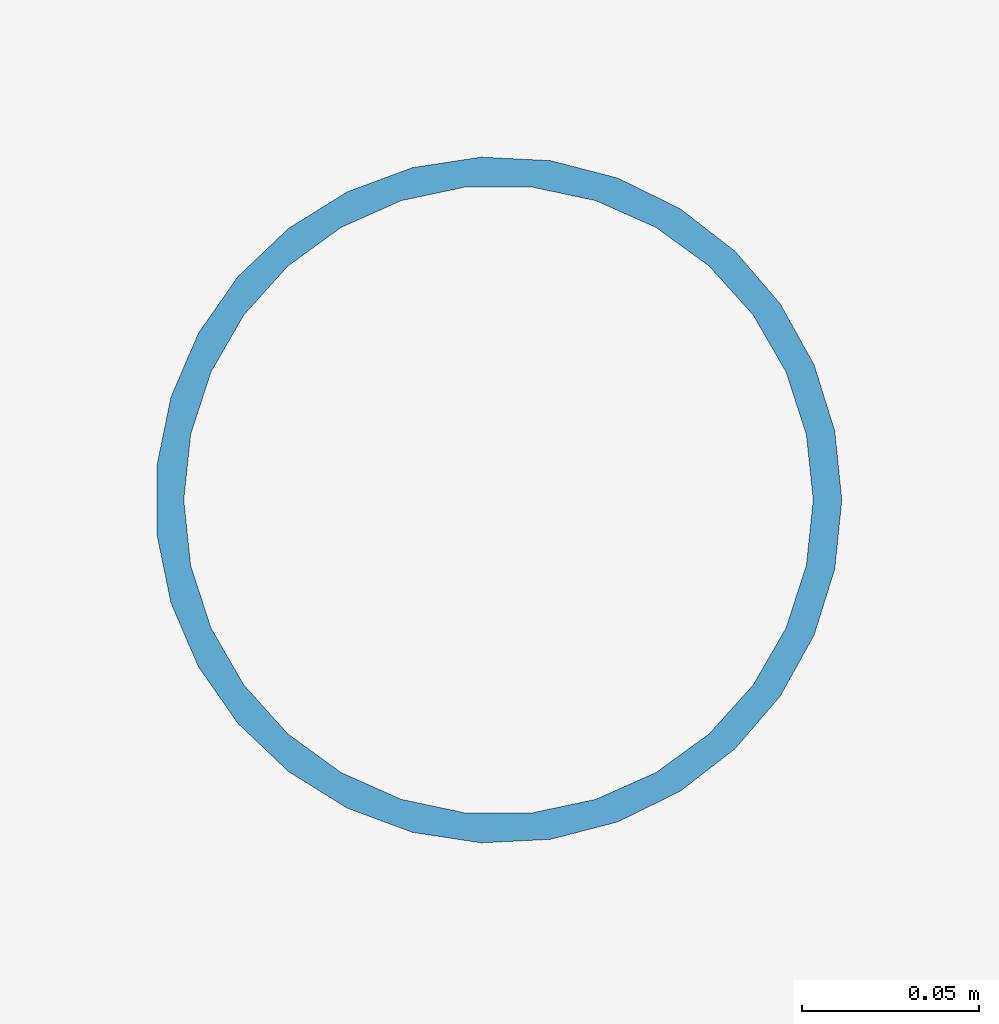
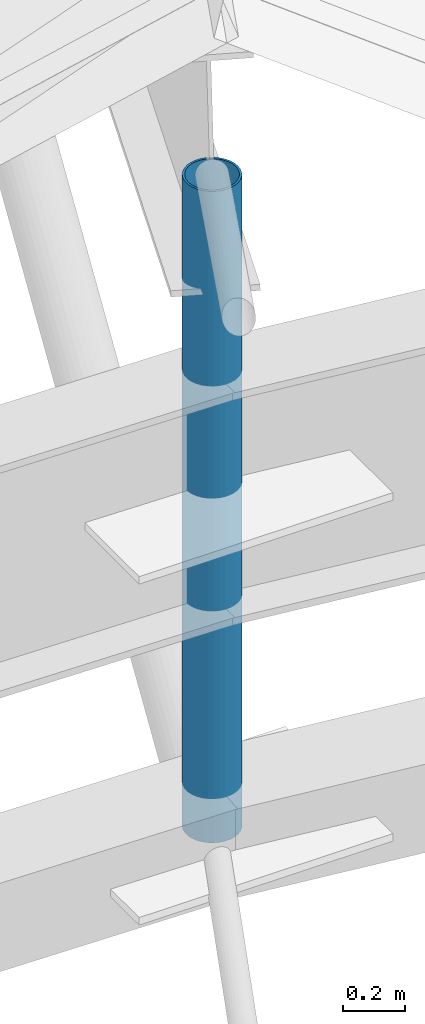
# One storey, part 27 of 41: 1 member.
"""IFC4 building model written with IfcOpenShell, lengths in metres."""

from ifc_helpers import new_model, si_unit, direction, frame, origin, origin_2d, place, context, subcontext, project, spatial, hollow_circle, extrude, material, material_profile, profile_set, type_object, element, save


model = new_model("IFC4")

# Units and contexts
model_context = context("Model", 3, precision=1e-05, world=origin(), true_north=direction((0.0, 1.0)))
body_context = subcontext(model_context, "Body", "Model", "MODEL_VIEW")
ifc_project = project(units=[si_unit("LENGTHUNIT", "METRE"), si_unit("AREAUNIT", "SQUARE_METRE"), si_unit("VOLUMEUNIT", "CUBIC_METRE"), si_unit("PLANEANGLEUNIT", "RADIAN"), si_unit("MASSUNIT", "GRAM", prefix="KILO")], contexts=[model_context])

# Site, building, storey
site_placement = place(None, origin())
site = spatial("IfcSite", under=ifc_project, at=site_placement, CompositionType="ELEMENT")
building_placement = place(site_placement, origin())
building = spatial("IfcBuilding", under=site, at=building_placement, Name="Luwafu Chhajja Arena", CompositionType="ELEMENT")
storey_placement = place(building_placement, frame((0.0, 0.0, 29.699951171875)))
storey = spatial("IfcBuildingStorey", under=building, at=storey_placement, Name="RF", CompositionType="ELEMENT", Elevation=29.699951171875)

# Member
ifc_material = material(Name="Steel S355", Category="steel")
ifc_material_profile = material_profile(ifc_material, hollow_circle(Radius=0.096923828125, WallThickness=0.008056640625, at=origin_2d()), Name="CHS 193.7x8")
ifc_profile_set = profile_set([ifc_material_profile], Name="Steel S355")
member_type = type_object("IfcMemberType", Name="Folded Pleat Tie Strut CHS 194", PredefinedType="BRACE", material=ifc_profile_set)
member_placement = place(storey_placement, frame((106.61865234375, 65.904541015625, 4.10009765625), z_axis=(0.0, 0.0, 1.0), x_axis=(1.0, 0.0, 0.0)))
element("IfcMember", 1, at=member_placement, inside=storey, type_object=member_type, Name="Roof Inner Ring Truss Web IRW-07", PredefinedType="BRACE", context=body_context, shape_type="SweptSolid", body=[
    extrude(hollow_circle(Radius=0.096923828125, WallThickness=0.008056640625, at=origin_2d()), origin(), (0.0, 0.0, 1.0), 2.579833984375),
])

save(model, "model.ifc")
